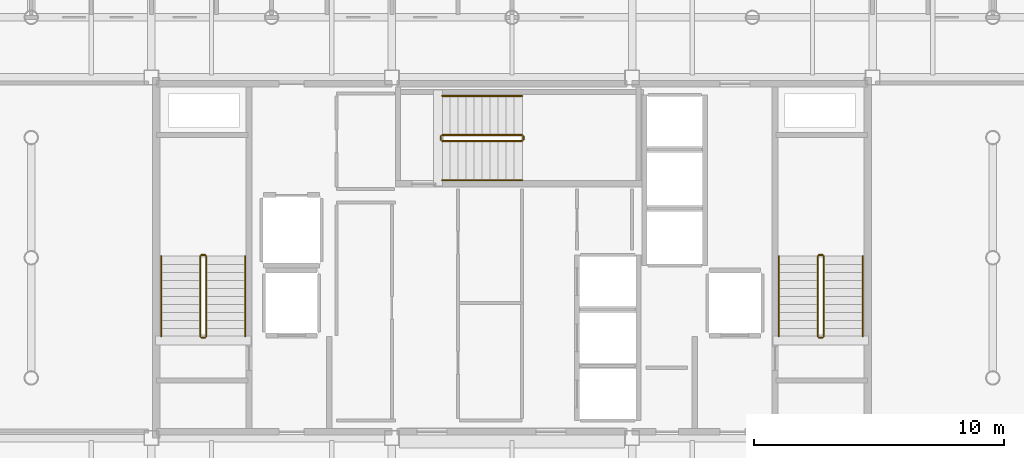
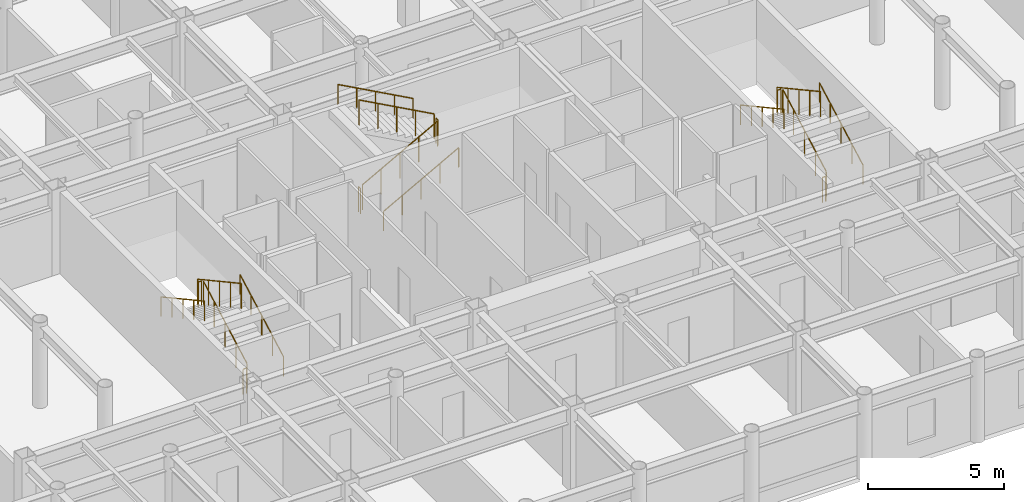
# One storey, part 22 of 22: 18 railings.
"""IFC4 building model written with IfcOpenShell, lengths in metres."""

from ifc_helpers import new_model, si_unit, direction, frame, origin, origin_2d, place, context, subcontext, project, spatial, circle, extrude, material, layer, layer_set, type_object, element, save


model = new_model("IFC4")

# Units and contexts
model_context = context("Model", 3, precision=1e-05, world=origin(), true_north=direction((0.0, 1.0)))
body_context = subcontext(model_context, "Body", "Model", "MODEL_VIEW")
ifc_project = project(units=[si_unit("LENGTHUNIT", "METRE"), si_unit("AREAUNIT", "SQUARE_METRE"), si_unit("VOLUMEUNIT", "CUBIC_METRE"), si_unit("PLANEANGLEUNIT", "RADIAN"), si_unit("MASSUNIT", "GRAM", prefix="KILO")], contexts=[model_context])

# Site, building, storey
site_placement = place(None, origin())
site = spatial("IfcSite", under=ifc_project, at=site_placement, CompositionType="ELEMENT")
building_placement = place(site_placement, origin())
building = spatial("IfcBuilding", under=site, at=building_placement, Name="Kallvorn Hotel Tower", CompositionType="ELEMENT")
storey_placement = place(building_placement, frame((0.0, 0.0, 256.949951171875)))
storey = spatial("IfcBuildingStorey", under=building, at=storey_placement, Name="L64", CompositionType="ELEMENT", Elevation=256.949951171875)

# Railings
ifc_material_1 = material(Name="Brushed stainless-steel tubular railing", Category="steel")
ifc_layer_1 = layer(ifc_material_1, 0.050048828125)
ifc_layer_set_1 = layer_set([ifc_layer_1], Name="RL_STAIR_GUARD")
railing_type_1 = type_object("IfcRailingType", Name="RL_STAIR_GUARD", PredefinedType="GUARDRAIL", material=ifc_layer_set_1)
railing_1_placement = place(storey_placement, frame((-12.2099609375, -3.139892578125, 0.175048828125)))
element("IfcRailing", 1, at=railing_1_placement, inside=storey, type_object=railing_type_1, Name="L64 ST1 stair guard 1", PredefinedType="GUARDRAIL", context=body_context, shape_type="SweptSolid", body=[
    extrude(circle(Radius=0.02392578125, at=origin_2d()), frame((0.0, 0.0, 1.1259765625), z_axis=(0.0, 0.877368057402, 0.479817977833), x_axis=(-1.0, 0.0, 0.0)), (0.0, 0.0, 1.0), 3.647216796875),
    extrude(circle(Radius=0.02099609375, at=origin_2d()), origin(), (0.0, 0.0, 1.0), 1.101806640625),
    extrude(circle(Radius=0.02099609375, at=origin_2d()), frame((0.0, 0.800048828125, 0.4375)), (0.0, 0.0, 1.0), 1.101806640625),
    extrude(circle(Radius=0.02099609375, at=origin_2d()), frame((0.0, 1.60009765625, 0.875)), (0.0, 0.0, 1.0), 1.101806640625),
    extrude(circle(Radius=0.02099609375, at=origin_2d()), frame((0.0, 2.39990234375, 1.3125)), (0.0, 0.0, 1.0), 1.101806640625),
    extrude(circle(Radius=0.02099609375, at=origin_2d()), frame((0.0, 3.199951171875, 1.75)), (0.0, 0.0, 1.0), 1.101806640625),
])
railing_2_placement = place(storey_placement, frame((-12.260009765625, 0.110107421875, 1.925048828125)))
element("IfcRailing", 2, at=railing_2_placement, inside=storey, type_object=railing_type_1, Name="L64 ST1 stair guard 2", PredefinedType="GUARDRAIL", context=body_context, shape_type="SweptSolid", body=[
    extrude(circle(Radius=0.02392578125, at=origin_2d()), frame((0.0, 0.0, 1.1259765625), z_axis=(-1.0, 0.0, 0.0), x_axis=(0.0, -1.0, 0.0)), (0.0, 0.0, 1.0), 0.139892578125),
    extrude(circle(Radius=0.02099609375, at=origin_2d()), origin(), (0.0, 0.0, 1.0), 1.101806640625),
    extrude(circle(Radius=0.02099609375, at=origin_2d()), frame((-0.139892578125, 0.0, 0.0)), (0.0, 0.0, 1.0), 1.101806640625),
])
railing_3_placement = place(storey_placement, frame((-12.449951171875, 0.06005859375, 2.10009765625)))
element("IfcRailing", 3, at=railing_3_placement, inside=storey, type_object=railing_type_1, Name="L64 ST1 stair guard 3", PredefinedType="GUARDRAIL", context=body_context, shape_type="SweptSolid", body=[
    extrude(circle(Radius=0.02392578125, at=origin_2d()), frame((0.0, 0.0, 1.1259765625), z_axis=(0.0, -0.877368057402, 0.479817977833), x_axis=(1.0, 0.0, 0.0)), (0.0, 0.0, 1.0), 3.647216796875),
    extrude(circle(Radius=0.02099609375, at=origin_2d()), origin(), (0.0, 0.0, 1.0), 1.101806640625),
    extrude(circle(Radius=0.02099609375, at=origin_2d()), frame((0.0, -0.800048828125, 0.4375)), (0.0, 0.0, 1.0), 1.101806640625),
    extrude(circle(Radius=0.02099609375, at=origin_2d()), frame((0.0, -1.60009765625, 0.875)), (0.0, 0.0, 1.0), 1.101806640625),
    extrude(circle(Radius=0.02099609375, at=origin_2d()), frame((0.0, -2.39990234375, 1.3125)), (0.0, 0.0, 1.0), 1.101806640625),
    extrude(circle(Radius=0.02099609375, at=origin_2d()), frame((0.0, -3.199951171875, 1.75)), (0.0, 0.0, 1.0), 1.101806640625),
])
railing_4_placement = place(storey_placement, frame((-12.260009765625, -3.18994140625, 0.0)))
element("IfcRailing", 4, at=railing_4_placement, inside=storey, type_object=railing_type_1, Name="L64 ST1 stair guard 4", PredefinedType="GUARDRAIL", context=body_context, shape_type="SweptSolid", body=[
    extrude(circle(Radius=0.02392578125, at=origin_2d()), frame((0.0, 0.0, 1.1259765625), z_axis=(-1.0, 0.0, 0.0), x_axis=(0.0, -1.0, 0.0)), (0.0, 0.0, 1.0), 0.139892578125),
    extrude(circle(Radius=0.02099609375, at=origin_2d()), origin(), (0.0, 0.0, 1.0), 1.101806640625),
    extrude(circle(Radius=0.02099609375, at=origin_2d()), frame((-0.139892578125, 0.0, 0.0)), (0.0, 0.0, 1.0), 1.101806640625),
])
railing_5_placement = place(storey_placement, frame((12.449951171875, -3.139892578125, 0.175048828125)))
element("IfcRailing", 5, at=railing_5_placement, inside=storey, type_object=railing_type_1, Name="L64 ST2 stair guard 1", PredefinedType="GUARDRAIL", context=body_context, shape_type="SweptSolid", body=[
    extrude(circle(Radius=0.02392578125, at=origin_2d()), frame((0.0, 0.0, 1.1259765625), z_axis=(0.0, 0.877368057402, 0.479817977833), x_axis=(-1.0, 0.0, 0.0)), (0.0, 0.0, 1.0), 3.647216796875),
    extrude(circle(Radius=0.02099609375, at=origin_2d()), origin(), (0.0, 0.0, 1.0), 1.101806640625),
    extrude(circle(Radius=0.02099609375, at=origin_2d()), frame((0.0, 0.800048828125, 0.4375)), (0.0, 0.0, 1.0), 1.101806640625),
    extrude(circle(Radius=0.02099609375, at=origin_2d()), frame((0.0, 1.60009765625, 0.875)), (0.0, 0.0, 1.0), 1.101806640625),
    extrude(circle(Radius=0.02099609375, at=origin_2d()), frame((0.0, 2.39990234375, 1.3125)), (0.0, 0.0, 1.0), 1.101806640625),
    extrude(circle(Radius=0.02099609375, at=origin_2d()), frame((0.0, 3.199951171875, 1.75)), (0.0, 0.0, 1.0), 1.101806640625),
])
railing_6_placement = place(storey_placement, frame((12.39990234375, 0.110107421875, 1.925048828125)))
element("IfcRailing", 6, at=railing_6_placement, inside=storey, type_object=railing_type_1, Name="L64 ST2 stair guard 2", PredefinedType="GUARDRAIL", context=body_context, shape_type="SweptSolid", body=[
    extrude(circle(Radius=0.02392578125, at=origin_2d()), frame((0.0, 0.0, 1.1259765625), z_axis=(-1.0, 0.0, 0.0), x_axis=(0.0, -1.0, 0.0)), (0.0, 0.0, 1.0), 0.139892578125),
    extrude(circle(Radius=0.02099609375, at=origin_2d()), origin(), (0.0, 0.0, 1.0), 1.101806640625),
    extrude(circle(Radius=0.02099609375, at=origin_2d()), frame((-0.139892578125, 0.0, 0.0)), (0.0, 0.0, 1.0), 1.101806640625),
])
railing_7_placement = place(storey_placement, frame((12.2099609375, 0.06005859375, 2.10009765625)))
element("IfcRailing", 7, at=railing_7_placement, inside=storey, type_object=railing_type_1, Name="L64 ST2 stair guard 3", PredefinedType="GUARDRAIL", context=body_context, shape_type="SweptSolid", body=[
    extrude(circle(Radius=0.02392578125, at=origin_2d()), frame((0.0, 0.0, 1.1259765625), z_axis=(0.0, -0.877368057402, 0.479817977833), x_axis=(1.0, 0.0, 0.0)), (0.0, 0.0, 1.0), 3.647216796875),
    extrude(circle(Radius=0.02099609375, at=origin_2d()), origin(), (0.0, 0.0, 1.0), 1.101806640625),
    extrude(circle(Radius=0.02099609375, at=origin_2d()), frame((0.0, -0.800048828125, 0.4375)), (0.0, 0.0, 1.0), 1.101806640625),
    extrude(circle(Radius=0.02099609375, at=origin_2d()), frame((0.0, -1.60009765625, 0.875)), (0.0, 0.0, 1.0), 1.101806640625),
    extrude(circle(Radius=0.02099609375, at=origin_2d()), frame((0.0, -2.39990234375, 1.3125)), (0.0, 0.0, 1.0), 1.101806640625),
    extrude(circle(Radius=0.02099609375, at=origin_2d()), frame((0.0, -3.199951171875, 1.75)), (0.0, 0.0, 1.0), 1.101806640625),
])
railing_8_placement = place(storey_placement, frame((12.39990234375, -3.18994140625, 0.0)))
element("IfcRailing", 8, at=railing_8_placement, inside=storey, type_object=railing_type_1, Name="L64 ST2 stair guard 4", PredefinedType="GUARDRAIL", context=body_context, shape_type="SweptSolid", body=[
    extrude(circle(Radius=0.02392578125, at=origin_2d()), frame((0.0, 0.0, 1.1259765625), z_axis=(-1.0, 0.0, 0.0), x_axis=(0.0, -1.0, 0.0)), (0.0, 0.0, 1.0), 0.139892578125),
    extrude(circle(Radius=0.02099609375, at=origin_2d()), origin(), (0.0, 0.0, 1.0), 1.101806640625),
    extrude(circle(Radius=0.02099609375, at=origin_2d()), frame((-0.139892578125, 0.0, 0.0)), (0.0, 0.0, 1.0), 1.101806640625),
])
railing_9_placement = place(storey_placement, frame((-2.7900390625, 4.659912109375, 0.175048828125)))
element("IfcRailing", 9, at=railing_9_placement, inside=storey, type_object=railing_type_1, Name="L64 ST3 stair guard 1", PredefinedType="GUARDRAIL", context=body_context, shape_type="SweptSolid", body=[
    extrude(circle(Radius=0.02392578125, at=origin_2d()), frame((0.0, 0.0, 1.1259765625), z_axis=(0.877368057402, 0.0, 0.479817977833), x_axis=(0.0, 1.0, 0.0)), (0.0, 0.0, 1.0), 3.647216796875),
    extrude(circle(Radius=0.02099609375, at=origin_2d()), origin(), (0.0, 0.0, 1.0), 1.101806640625),
    extrude(circle(Radius=0.02099609375, at=origin_2d()), frame((0.800048828125, 0.0, 0.4375)), (0.0, 0.0, 1.0), 1.101806640625),
    extrude(circle(Radius=0.02099609375, at=origin_2d()), frame((1.60009765625, 0.0, 0.875)), (0.0, 0.0, 1.0), 1.101806640625),
    extrude(circle(Radius=0.02099609375, at=origin_2d()), frame((2.39990234375, 0.0, 1.3125)), (0.0, 0.0, 1.0), 1.101806640625),
    extrude(circle(Radius=0.02099609375, at=origin_2d()), frame((3.199951171875, 0.0, 1.75)), (0.0, 0.0, 1.0), 1.101806640625),
])
railing_10_placement = place(storey_placement, frame((0.4599609375, 4.7099609375, 1.925048828125)))
element("IfcRailing", 10, at=railing_10_placement, inside=storey, type_object=railing_type_1, Name="L64 ST3 stair guard 2", PredefinedType="GUARDRAIL", context=body_context, shape_type="SweptSolid", body=[
    extrude(circle(Radius=0.02392578125, at=origin_2d()), frame((0.0, 0.0, 1.1259765625), z_axis=(0.0, 1.0, 0.0), x_axis=(-1.0, 0.0, 0.0)), (0.0, 0.0, 1.0), 0.14013671875),
    extrude(circle(Radius=0.02099609375, at=origin_2d()), origin(), (0.0, 0.0, 1.0), 1.101806640625),
    extrude(circle(Radius=0.02099609375, at=origin_2d()), frame((0.0, 0.14013671875, 0.0)), (0.0, 0.0, 1.0), 1.101806640625),
])
railing_11_placement = place(storey_placement, frame((0.409912109375, 4.89990234375, 2.10009765625)))
element("IfcRailing", 11, at=railing_11_placement, inside=storey, type_object=railing_type_1, Name="L64 ST3 stair guard 3", PredefinedType="GUARDRAIL", context=body_context, shape_type="SweptSolid", body=[
    extrude(circle(Radius=0.02392578125, at=origin_2d()), frame((0.0, 0.0, 1.1259765625), z_axis=(-0.877368057402, 0.0, 0.479817977833), x_axis=(0.0, -1.0, 0.0)), (0.0, 0.0, 1.0), 3.647216796875),
    extrude(circle(Radius=0.02099609375, at=origin_2d()), origin(), (0.0, 0.0, 1.0), 1.101806640625),
    extrude(circle(Radius=0.02099609375, at=origin_2d()), frame((-0.800048828125, 0.0, 0.4375)), (0.0, 0.0, 1.0), 1.101806640625),
    extrude(circle(Radius=0.02099609375, at=origin_2d()), frame((-1.60009765625, 0.0, 0.875)), (0.0, 0.0, 1.0), 1.101806640625),
    extrude(circle(Radius=0.02099609375, at=origin_2d()), frame((-2.39990234375, 0.0, 1.3125)), (0.0, 0.0, 1.0), 1.101806640625),
    extrude(circle(Radius=0.02099609375, at=origin_2d()), frame((-3.199951171875, 0.0, 1.75)), (0.0, 0.0, 1.0), 1.101806640625),
])
railing_12_placement = place(storey_placement, frame((-2.840087890625, 4.7099609375, 0.0)))
element("IfcRailing", 12, at=railing_12_placement, inside=storey, type_object=railing_type_1, Name="L64 ST3 stair guard 4", PredefinedType="GUARDRAIL", context=body_context, shape_type="SweptSolid", body=[
    extrude(circle(Radius=0.02392578125, at=origin_2d()), frame((0.0, 0.0, 1.1259765625), z_axis=(0.0, 1.0, 0.0), x_axis=(-1.0, 0.0, 0.0)), (0.0, 0.0, 1.0), 0.14013671875),
    extrude(circle(Radius=0.02099609375, at=origin_2d()), origin(), (0.0, 0.0, 1.0), 1.101806640625),
    extrude(circle(Radius=0.02099609375, at=origin_2d()), frame((0.0, 0.14013671875, 0.0)), (0.0, 0.0, 1.0), 1.101806640625),
])
ifc_material_2 = material(Name="Brushed stainless-steel tubular railing", Category="steel")
ifc_layer_2 = layer(ifc_material_2, 0.050048828125)
ifc_layer_set_2 = layer_set([ifc_layer_2], Name="RL_STAIR_HAND")
railing_type_2 = type_object("IfcRailingType", Name="RL_STAIR_HAND", PredefinedType="HANDRAIL", material=ifc_layer_set_2)
railing_13_placement = place(storey_placement, frame((-10.64990234375, -3.139892578125, 0.175048828125)))
element("IfcRailing", 13, at=railing_13_placement, inside=storey, type_object=railing_type_2, Name="L64 ST1 stair handrail 1", PredefinedType="HANDRAIL", context=body_context, shape_type="SweptSolid", body=[
    extrude(circle(Radius=0.02392578125, at=origin_2d()), frame((0.0, 0.0, 0.8759765625), z_axis=(0.0, 0.877368057402, 0.479817977833), x_axis=(-1.0, 0.0, 0.0)), (0.0, 0.0, 1.0), 3.647216796875),
    extrude(circle(Radius=0.02099609375, at=origin_2d()), origin(), (0.0, 0.0, 1.0), 0.851806640625),
    extrude(circle(Radius=0.02099609375, at=origin_2d()), frame((0.0, 0.800048828125, 0.4375)), (0.0, 0.0, 1.0), 0.851806640625),
    extrude(circle(Radius=0.02099609375, at=origin_2d()), frame((0.0, 1.60009765625, 0.875)), (0.0, 0.0, 1.0), 0.851806640625),
    extrude(circle(Radius=0.02099609375, at=origin_2d()), frame((0.0, 2.39990234375, 1.3125)), (0.0, 0.0, 1.0), 0.851806640625),
    extrude(circle(Radius=0.02099609375, at=origin_2d()), frame((0.0, 3.199951171875, 1.75)), (0.0, 0.0, 1.0), 0.851806640625),
])
railing_14_placement = place(storey_placement, frame((-14.010009765625, 0.06005859375, 2.10009765625)))
element("IfcRailing", 14, at=railing_14_placement, inside=storey, type_object=railing_type_2, Name="L64 ST1 stair handrail 2", PredefinedType="HANDRAIL", context=body_context, shape_type="SweptSolid", body=[
    extrude(circle(Radius=0.02392578125, at=origin_2d()), frame((0.0, 0.0, 0.8759765625), z_axis=(0.0, -0.877368057402, 0.479817977833), x_axis=(1.0, 0.0, 0.0)), (0.0, 0.0, 1.0), 3.647216796875),
    extrude(circle(Radius=0.02099609375, at=origin_2d()), origin(), (0.0, 0.0, 1.0), 0.851806640625),
    extrude(circle(Radius=0.02099609375, at=origin_2d()), frame((0.0, -0.800048828125, 0.4375)), (0.0, 0.0, 1.0), 0.851806640625),
    extrude(circle(Radius=0.02099609375, at=origin_2d()), frame((0.0, -1.60009765625, 0.875)), (0.0, 0.0, 1.0), 0.851806640625),
    extrude(circle(Radius=0.02099609375, at=origin_2d()), frame((0.0, -2.39990234375, 1.3125)), (0.0, 0.0, 1.0), 0.851806640625),
    extrude(circle(Radius=0.02099609375, at=origin_2d()), frame((0.0, -3.199951171875, 1.75)), (0.0, 0.0, 1.0), 0.851806640625),
])
railing_15_placement = place(storey_placement, frame((14.010009765625, -3.139892578125, 0.175048828125)))
element("IfcRailing", 15, at=railing_15_placement, inside=storey, type_object=railing_type_2, Name="L64 ST2 stair handrail 1", PredefinedType="HANDRAIL", context=body_context, shape_type="SweptSolid", body=[
    extrude(circle(Radius=0.02392578125, at=origin_2d()), frame((0.0, 0.0, 0.8759765625), z_axis=(0.0, 0.877368057402, 0.479817977833), x_axis=(-1.0, 0.0, 0.0)), (0.0, 0.0, 1.0), 3.647216796875),
    extrude(circle(Radius=0.02099609375, at=origin_2d()), origin(), (0.0, 0.0, 1.0), 0.851806640625),
    extrude(circle(Radius=0.02099609375, at=origin_2d()), frame((0.0, 0.800048828125, 0.4375)), (0.0, 0.0, 1.0), 0.851806640625),
    extrude(circle(Radius=0.02099609375, at=origin_2d()), frame((0.0, 1.60009765625, 0.875)), (0.0, 0.0, 1.0), 0.851806640625),
    extrude(circle(Radius=0.02099609375, at=origin_2d()), frame((0.0, 2.39990234375, 1.3125)), (0.0, 0.0, 1.0), 0.851806640625),
    extrude(circle(Radius=0.02099609375, at=origin_2d()), frame((0.0, 3.199951171875, 1.75)), (0.0, 0.0, 1.0), 0.851806640625),
])
railing_16_placement = place(storey_placement, frame((10.64990234375, 0.06005859375, 2.10009765625)))
element("IfcRailing", 16, at=railing_16_placement, inside=storey, type_object=railing_type_2, Name="L64 ST2 stair handrail 2", PredefinedType="HANDRAIL", context=body_context, shape_type="SweptSolid", body=[
    extrude(circle(Radius=0.02392578125, at=origin_2d()), frame((0.0, 0.0, 0.8759765625), z_axis=(0.0, -0.877368057402, 0.479817977833), x_axis=(1.0, 0.0, 0.0)), (0.0, 0.0, 1.0), 3.647216796875),
    extrude(circle(Radius=0.02099609375, at=origin_2d()), origin(), (0.0, 0.0, 1.0), 0.851806640625),
    extrude(circle(Radius=0.02099609375, at=origin_2d()), frame((0.0, -0.800048828125, 0.4375)), (0.0, 0.0, 1.0), 0.851806640625),
    extrude(circle(Radius=0.02099609375, at=origin_2d()), frame((0.0, -1.60009765625, 0.875)), (0.0, 0.0, 1.0), 0.851806640625),
    extrude(circle(Radius=0.02099609375, at=origin_2d()), frame((0.0, -2.39990234375, 1.3125)), (0.0, 0.0, 1.0), 0.851806640625),
    extrude(circle(Radius=0.02099609375, at=origin_2d()), frame((0.0, -3.199951171875, 1.75)), (0.0, 0.0, 1.0), 0.851806640625),
])
railing_17_placement = place(storey_placement, frame((-2.7900390625, 3.10009765625, 0.175048828125)))
element("IfcRailing", 17, at=railing_17_placement, inside=storey, type_object=railing_type_2, Name="L64 ST3 stair handrail 1", PredefinedType="HANDRAIL", context=body_context, shape_type="SweptSolid", body=[
    extrude(circle(Radius=0.02392578125, at=origin_2d()), frame((0.0, 0.0, 0.8759765625), z_axis=(0.877368057402, 0.0, 0.479817977833), x_axis=(0.0, 1.0, 0.0)), (0.0, 0.0, 1.0), 3.647216796875),
    extrude(circle(Radius=0.02099609375, at=origin_2d()), origin(), (0.0, 0.0, 1.0), 0.851806640625),
    extrude(circle(Radius=0.02099609375, at=origin_2d()), frame((0.800048828125, 0.0, 0.4375)), (0.0, 0.0, 1.0), 0.851806640625),
    extrude(circle(Radius=0.02099609375, at=origin_2d()), frame((1.60009765625, 0.0, 0.875)), (0.0, 0.0, 1.0), 0.851806640625),
    extrude(circle(Radius=0.02099609375, at=origin_2d()), frame((2.39990234375, 0.0, 1.3125)), (0.0, 0.0, 1.0), 0.851806640625),
    extrude(circle(Radius=0.02099609375, at=origin_2d()), frame((3.199951171875, 0.0, 1.75)), (0.0, 0.0, 1.0), 0.851806640625),
])
railing_18_placement = place(storey_placement, frame((0.409912109375, 6.4599609375, 2.10009765625)))
element("IfcRailing", 18, at=railing_18_placement, inside=storey, type_object=railing_type_2, Name="L64 ST3 stair handrail 2", PredefinedType="HANDRAIL", context=body_context, shape_type="SweptSolid", body=[
    extrude(circle(Radius=0.02392578125, at=origin_2d()), frame((0.0, 0.0, 0.8759765625), z_axis=(-0.877368057402, 0.0, 0.479817977833), x_axis=(0.0, -1.0, 0.0)), (0.0, 0.0, 1.0), 3.647216796875),
    extrude(circle(Radius=0.02099609375, at=origin_2d()), origin(), (0.0, 0.0, 1.0), 0.851806640625),
    extrude(circle(Radius=0.02099609375, at=origin_2d()), frame((-0.800048828125, 0.0, 0.4375)), (0.0, 0.0, 1.0), 0.851806640625),
    extrude(circle(Radius=0.02099609375, at=origin_2d()), frame((-1.60009765625, 0.0, 0.875)), (0.0, 0.0, 1.0), 0.851806640625),
    extrude(circle(Radius=0.02099609375, at=origin_2d()), frame((-2.39990234375, 0.0, 1.3125)), (0.0, 0.0, 1.0), 0.851806640625),
    extrude(circle(Radius=0.02099609375, at=origin_2d()), frame((-3.199951171875, 0.0, 1.75)), (0.0, 0.0, 1.0), 0.851806640625),
])

save(model, "model.ifc")
